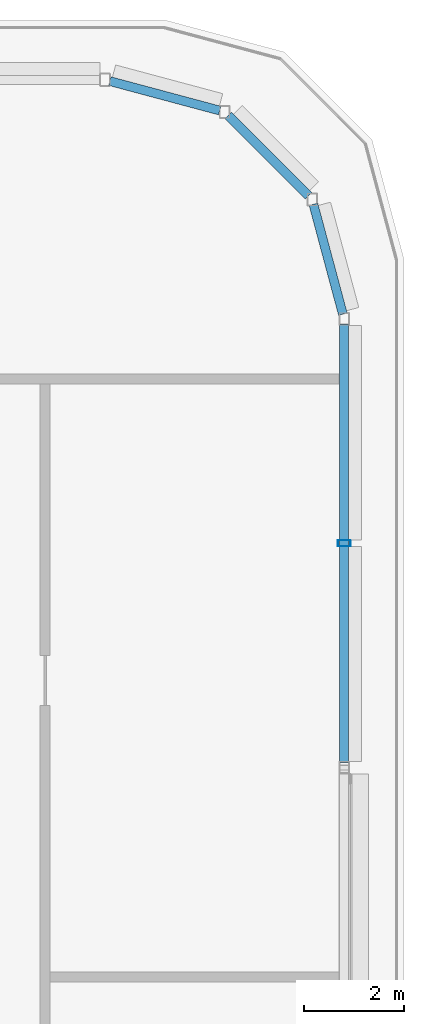
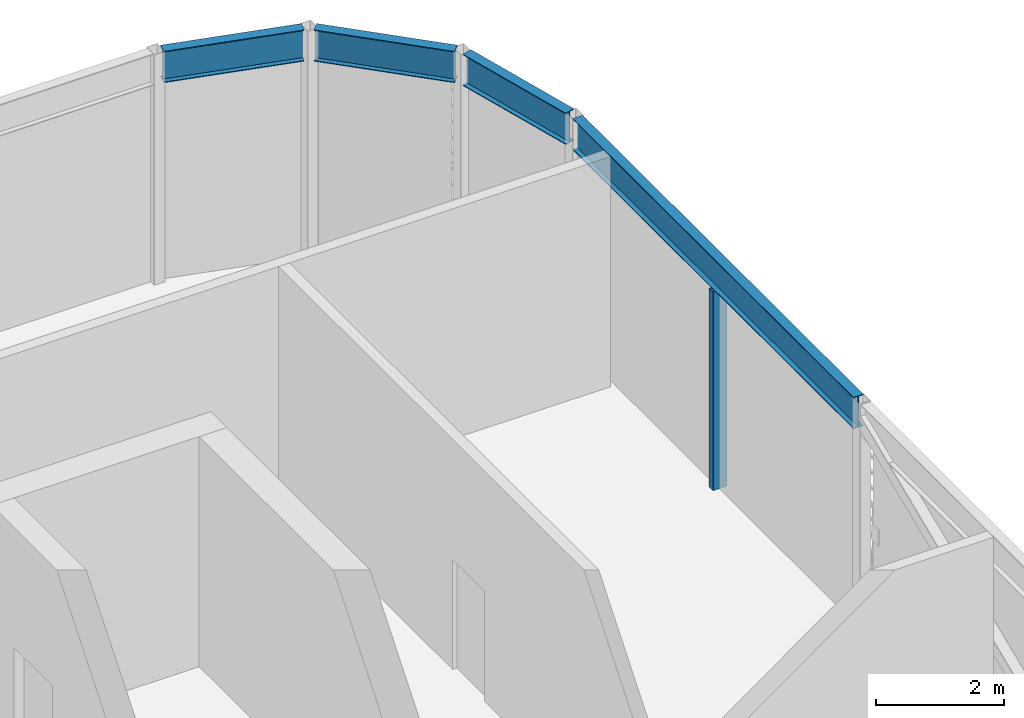
# One storey, part 14 of 29: 4 beams, 1 member.
"""IFC4 building model written with IfcOpenShell, lengths in metres."""

from ifc_helpers import new_model, si_unit, direction, frame, origin, origin_2d, place, context, subcontext, project, spatial, hollow_rectangle, i_section, extrude, material, material_profile, profile_set, type_object, element, save


model = new_model("IFC4")

# Units and contexts
model_context = context("Model", 3, precision=1e-05, world=origin(), true_north=direction((0.0, 1.0)))
body_context = subcontext(model_context, "Body", "Model", "MODEL_VIEW")
ifc_project = project(units=[si_unit("LENGTHUNIT", "METRE"), si_unit("AREAUNIT", "SQUARE_METRE"), si_unit("VOLUMEUNIT", "CUBIC_METRE"), si_unit("PLANEANGLEUNIT", "RADIAN"), si_unit("MASSUNIT", "GRAM", prefix="KILO")], contexts=[model_context])

# Site, building, storey
site_placement = place(None, origin())
site = spatial("IfcSite", under=ifc_project, at=site_placement, CompositionType="ELEMENT")
building_placement = place(site_placement, origin())
building = spatial("IfcBuilding", under=site, at=building_placement, Name="Madar Terraces", CompositionType="ELEMENT")
storey_placement = place(building_placement, frame((0.0, 0.0, 296.300048828125)))
storey = spatial("IfcBuildingStorey", under=building, at=storey_placement, Name="L77", CompositionType="ELEMENT", Elevation=296.300048828125)

# Beams
ifc_material_1 = material(Name="Steel ASTM A992 Grade 50", Category="steel")
ifc_material_profile_1 = material_profile(ifc_material_1, i_section(OverallWidth=0.1787109375, OverallDepth=0.60205078125, WebThickness=0.010986328125, FlangeThickness=0.014892578125, at=origin_2d()), Name="W24x62")
ifc_profile_set_1 = profile_set([ifc_material_profile_1], Name="Steel ASTM A992 Grade 50")
beam_type = type_object("IfcBeamType", Name="CF2 W24x62", PredefinedType="BEAM", material=ifc_profile_set_1)
beam_1_placement = place(storey_placement, frame((56.39990234375, 33.1015625, 4.098876953125), z_axis=(0.0, 1.0, 0.0), x_axis=(-1.0, 0.0, 0.0)))
element("IfcBeam", 1, at=beam_1_placement, inside=storey, type_object=beam_type, Name="Crown frame ring beam CF2", PredefinedType="BEAM", context=body_context, shape_type="SweptSolid", body=[
    extrude(i_section(OverallWidth=0.1787109375, OverallDepth=0.60205078125, WebThickness=0.010986328125, FlangeThickness=0.014892578125, at=origin_2d()), origin(), (0.0, 0.0, 1.0), 8.796875),
])
beam_2_placement = place(storey_placement, frame((56.373779296875, 42.09814453125, 4.098876953125), z_axis=(-0.258868028067, 0.965912700012, 0.0), x_axis=(-0.965912700012, -0.258868028067, 0.0)))
element("IfcBeam", 2, at=beam_2_placement, inside=storey, type_object=beam_type, Name="Crown frame ring beam CF2", PredefinedType="BEAM", context=body_context, shape_type="SweptSolid", body=[
    extrude(i_section(OverallWidth=0.1787109375, OverallDepth=0.60205078125, WebThickness=0.010986328125, FlangeThickness=0.014892578125, at=origin_2d()), origin(), (0.0, 0.0, 1.0), 2.281494140625),
])
beam_3_placement = place(storey_placement, frame((55.68505859375, 44.471923828125, 4.098876953125), z_axis=(-0.707160287053, 0.707053271271, 0.0), x_axis=(-0.707053271271, -0.707160287053, 0.0)))
element("IfcBeam", 3, at=beam_3_placement, inside=storey, type_object=beam_type, Name="Crown frame ring beam CF2", PredefinedType="BEAM", context=body_context, shape_type="SweptSolid", body=[
    extrude(i_section(OverallWidth=0.1787109375, OverallDepth=0.60205078125, WebThickness=0.010986328125, FlangeThickness=0.014892578125, at=origin_2d()), origin(), (0.0, 0.0, 1.0), 2.28125),
])
beam_4_placement = place(storey_placement, frame((53.90185546875, 46.18310546875, 4.098876953125), z_axis=(-0.965912700012, 0.258868028067, 0.0), x_axis=(-0.258868028067, -0.965912700012, 0.0)))
element("IfcBeam", 4, at=beam_4_placement, inside=storey, type_object=beam_type, Name="Crown frame ring beam CF2", PredefinedType="BEAM", context=body_context, shape_type="SweptSolid", body=[
    extrude(i_section(OverallWidth=0.1787109375, OverallDepth=0.60205078125, WebThickness=0.010986328125, FlangeThickness=0.014892578125, at=origin_2d()), origin(), (0.0, 0.0, 1.0), 2.281494140625),
])

# Member
ifc_material_2 = material(Name="Steel ASTM A500 Grade C", Category="steel")
ifc_material_profile_2 = material_profile(ifc_material_2, hollow_rectangle(XDim=0.126953125, YDim=0.25390625, WallThickness=0.00634765625, InnerFilletRadius=0.0029296875, OuterFilletRadius=0.0087890625, at=origin_2d()), Name="HSS10x5x.25")
ifc_profile_set_2 = profile_set([ifc_material_profile_2], Name="Steel ASTM A500 Grade C")
member_type = type_object("IfcMemberType", Name="LS2 HSS10x5x.25", PredefinedType="POST", material=ifc_profile_set_2)
member_placement = place(storey_placement, frame((56.39990234375, 37.5, 0.0), z_axis=(0.0, 0.0, 1.0), x_axis=(0.0, 1.0, 0.0)))
element("IfcMember", 5, at=member_placement, inside=storey, type_object=member_type, Name="Crown louvre post LS2", PredefinedType="POST", context=body_context, shape_type="SweptSolid", body=[
    extrude(hollow_rectangle(XDim=0.126953125, YDim=0.25390625, WallThickness=0.00634765625, InnerFilletRadius=0.0029296875, OuterFilletRadius=0.0087890625, at=origin_2d()), origin(), (0.0, 0.0, 1.0), 3.7978515625),
])

save(model, "model.ifc")
